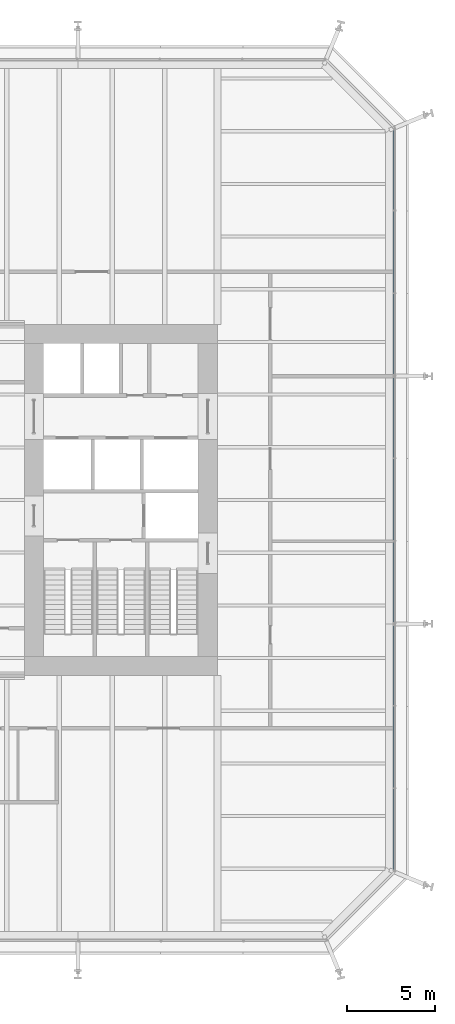
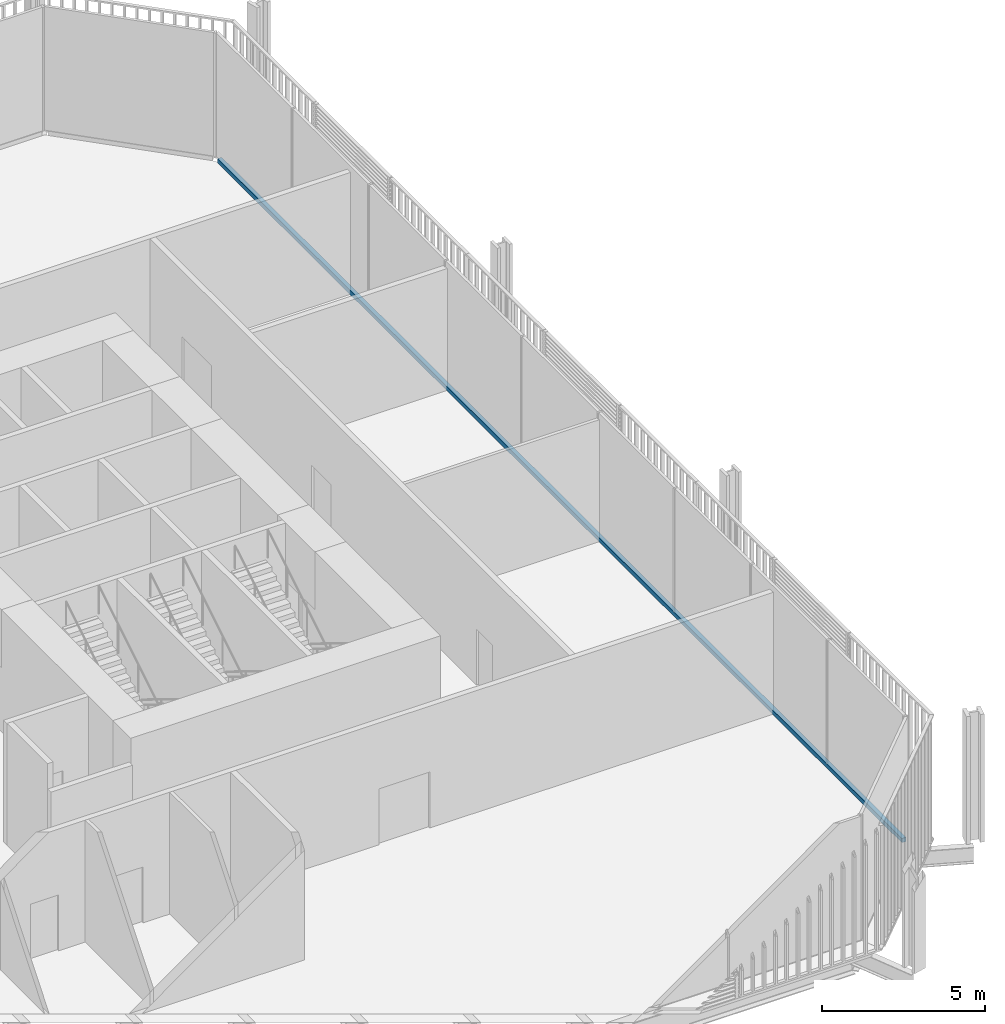
# One storey, part 10 of 22: 1 member, 1 element without a shape of its own.
"""IFC4 building model written with IfcOpenShell, lengths in metres."""

from ifc_helpers import new_model, si_unit, direction, frame, origin, origin_2d, place, context, subcontext, project, spatial, rectangle, extrude, material, layer, layer_set, material_profile, profile_set, type_object, element, aggregate, save


model = new_model("IFC4")

# Units and contexts
model_context = context("Model", 3, precision=1e-05, world=origin(), true_north=direction((0.0, 1.0)))
body_context = subcontext(model_context, "Body", "Model", "MODEL_VIEW")
ifc_project = project(units=[si_unit("LENGTHUNIT", "METRE"), si_unit("AREAUNIT", "SQUARE_METRE"), si_unit("VOLUMEUNIT", "CUBIC_METRE"), si_unit("PLANEANGLEUNIT", "RADIAN"), si_unit("MASSUNIT", "GRAM", prefix="KILO")], contexts=[model_context])

# Site, building, storey
site_placement = place(None, origin())
site = spatial("IfcSite", under=ifc_project, at=site_placement, CompositionType="ELEMENT")
building_placement = place(site_placement, origin())
building = spatial("IfcBuilding", under=site, at=building_placement, Name="Millrace Tower", CompositionType="ELEMENT")
storey_placement = place(building_placement, frame((0.0, 0.0, 25.699951171875)))
storey = spatial("IfcBuildingStorey", under=building, at=storey_placement, Name="L06", CompositionType="ELEMENT", Elevation=25.699951171875)

# Curtain wall, member
ifc_material_1 = material(Name="Aluminium and glass", Category="aluminium")
ifc_layer = layer(ifc_material_1, 0.14990234375)
ifc_layer_set = layer_set([ifc_layer], Name="Aluminium and glass")
curtain_wall_type = type_object("IfcCurtainWallType", Name="CW-2 data hall insulated curtain wall", PredefinedType="NOTDEFINED", material=ifc_layer_set)
curtain_wall_placement = place(storey_placement, origin())
curtain_wall = element("IfcCurtainWall", 1, at=curtain_wall_placement, inside=storey, type_object=curtain_wall_type, Name="Curtain wall A-F04 L06", PredefinedType="NOTDEFINED")
ifc_material_2 = material(Name="Aluminium", Category="aluminium")
ifc_material_profile = material_profile(ifc_material_2, rectangle(XDim=0.14990234375, YDim=0.159912109375, at=origin_2d()))
ifc_profile_set = profile_set([ifc_material_profile], Name="Aluminium")
member_type = type_object("IfcMemberType", Name="CW-2 data hall insulated curtain wall transom", PredefinedType="USERDEFINED", material=ifc_profile_set)
member_placement = place(storey_placement, frame((25.074951171875, -21.050048828125, 0.080078125), z_axis=(0.0, 1.0, 0.0), x_axis=(-1.0, 0.0, 0.0)))
member = element("IfcMember", 2, at=member_placement, type_object=member_type, Name="CW2 transom A-F04.1", ObjectType="TRANSOM", PredefinedType="USERDEFINED", context=body_context, shape_type="SweptSolid", body=[
    extrude(rectangle(XDim=0.14990234375, YDim=0.159912109375, at=origin_2d()), origin(), (0.0, 0.0, 1.0), 42.10009765625),
])
aggregate(curtain_wall, [member])

save(model, "model.ifc")
